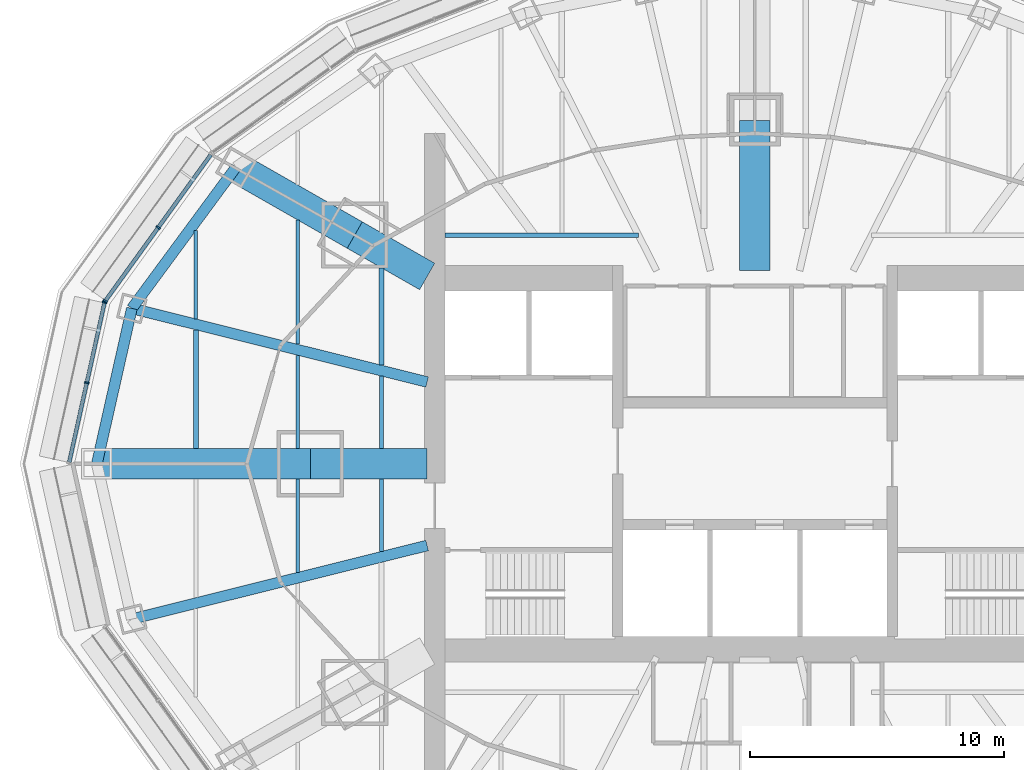
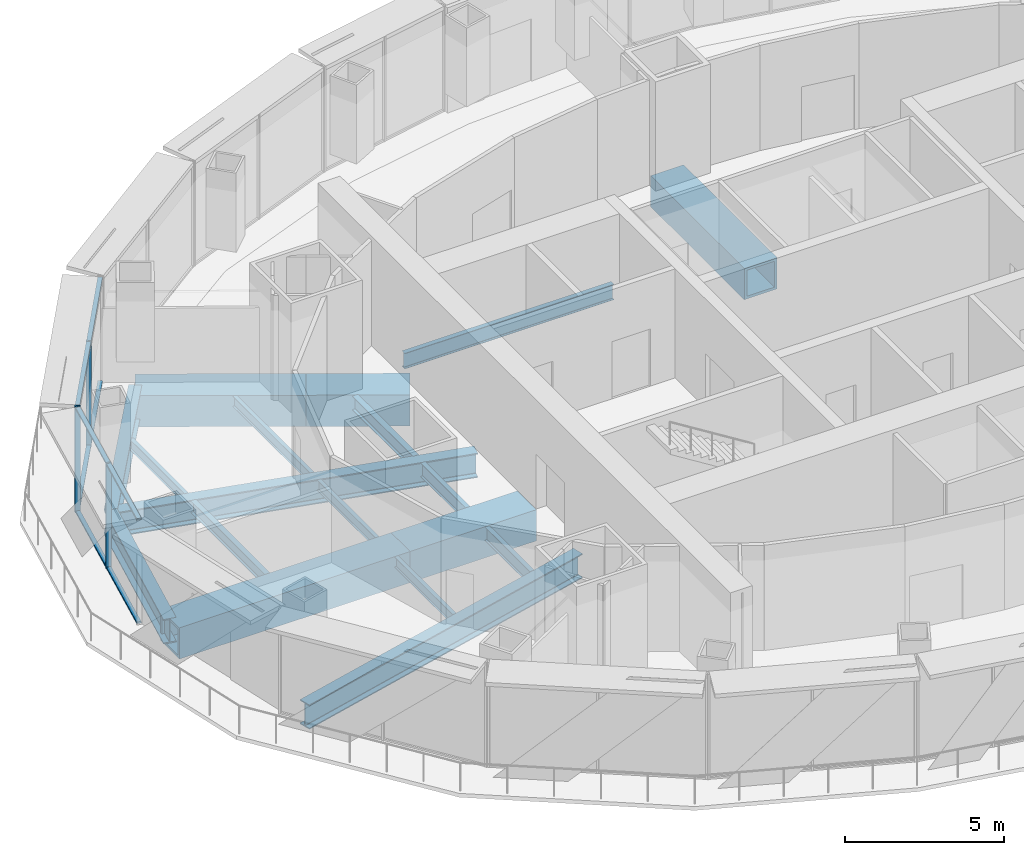
# One storey, part 4 of 17: 18 beams, 12 members, 2 elements without a shape of their own.
"""IFC4 building model written with IfcOpenShell, lengths in metres."""

from ifc_helpers import new_model, si_unit, direction, frame, origin, origin_2d, place, context, subcontext, project, spatial, rectangle, hollow_rectangle, i_section, extrude, material, material_profile, profile_set, type_object, element, aggregate, save


model = new_model("IFC4")

# Units and contexts
model_context = context("Model", 3, precision=1e-05, world=origin(), true_north=direction((0.0, 1.0)))
body_context = subcontext(model_context, "Body", "Model", "MODEL_VIEW")
ifc_project = project(units=[si_unit("LENGTHUNIT", "METRE"), si_unit("AREAUNIT", "SQUARE_METRE"), si_unit("VOLUMEUNIT", "CUBIC_METRE"), si_unit("PLANEANGLEUNIT", "RADIAN"), si_unit("MASSUNIT", "GRAM", prefix="KILO")], contexts=[model_context])

# Site, building, storey
site_placement = place(None, origin())
site = spatial("IfcSite", under=ifc_project, at=site_placement, CompositionType="ELEMENT")
building_placement = place(site_placement, origin())
building = spatial("IfcBuilding", under=site, at=building_placement, Name="Lantaw Convention Tower", CompositionType="ELEMENT")
storey_placement = place(building_placement, frame((0.0, 0.0, 199.0)))
storey = spatial("IfcBuildingStorey", under=building, at=storey_placement, Name="L46", CompositionType="ELEMENT", Elevation=199.0)

# Beams
ifc_material_1 = material(Name="Steel ASTM A992", Category="steel")
ifc_material_profile_1 = material_profile(ifc_material_1, i_section(OverallWidth=0.424072265625, OverallDepth=0.947509765625, WebThickness=0.02392578125, FlangeThickness=0.042724609375, FilletRadius=0.012451171875, at=origin_2d()), Name="W36X302")
ifc_profile_set_1 = profile_set([ifc_material_profile_1], Name="Steel ASTM A992")
beam_type_1 = type_object("IfcBeamType", Name="Beam BC W36X302", PredefinedType="SPANDREL", material=ifc_profile_set_1)
beam_1_placement = place(storey_placement, frame((-20.423095703125, 11.67041015625, -0.623779296875), z_axis=(-0.593639188853, -0.804731329984, 0.0), x_axis=(0.804731329984, -0.593639188853, 0.0)))
element("IfcBeam", 1, at=beam_1_placement, inside=storey, type_object=beam_type_1, Name="Belt truss chord 11", PredefinedType="SPANDREL", context=body_context, shape_type="SweptSolid", body=[
    extrude(i_section(OverallWidth=0.424072265625, OverallDepth=0.947509765625, WebThickness=0.02392578125, FlangeThickness=0.042724609375, FilletRadius=0.012451171875, at=origin_2d()), origin(), (0.0, 0.0, 1.0), 6.904541015625),
])
beam_2_placement = place(storey_placement, frame((-24.52197265625, 6.114013671875, -0.623779296875), z_axis=(-0.219857926596, -0.97553190215, 0.0), x_axis=(0.97553190215, -0.219857926596, 0.0)))
element("IfcBeam", 2, at=beam_2_placement, inside=storey, type_object=beam_type_1, Name="Belt truss chord 12", PredefinedType="SPANDREL", context=body_context, shape_type="SweptSolid", body=[
    extrude(i_section(OverallWidth=0.424072265625, OverallDepth=0.947509765625, WebThickness=0.02392578125, FlangeThickness=0.042724609375, FilletRadius=0.012451171875, at=origin_2d()), origin(), (0.0, 0.0, 1.0), 6.267333984375),
])
ifc_material_profile_2 = material_profile(ifc_material_1, i_section(OverallWidth=0.177978515625, OverallDepth=0.599365234375, WebThickness=0.010009765625, FlangeThickness=0.012939453125, FilletRadius=0.012939453125, at=origin_2d()), Name="W24X55")
ifc_profile_set_2 = profile_set([ifc_material_profile_2], Name="Steel ASTM A992")
beam_type_2 = type_object("IfcBeamType", Name="Beam CC W24X55", PredefinedType="BEAM", material=ifc_profile_set_2)
beam_3_placement = place(storey_placement, frame((-12.199951171875, 9.0, -0.44970703125), z_axis=(1.0, 0.0, 0.0), x_axis=(0.0, 1.0, 0.0)))
element("IfcBeam", 3, at=beam_3_placement, inside=storey, type_object=beam_type_2, Name="Core collector beam on ray 10", PredefinedType="BEAM", context=body_context, shape_type="SweptSolid", body=[
    extrude(i_section(OverallWidth=0.177978515625, OverallDepth=0.599365234375, WebThickness=0.010009765625, FlangeThickness=0.012939453125, FilletRadius=0.012939453125, at=origin_2d()), origin(), (0.0, 0.0, 1.0), 7.6142578125),
])
ifc_material_2 = material(Name="Steel EN 10025-3 S460N", Category="steel")
ifc_material_profile_3 = material_profile(ifc_material_2, hollow_rectangle(XDim=1.199951171875, YDim=1.199951171875, WallThickness=0.10009765625, at=origin_2d()), Name="BOX1200X100")
ifc_profile_set_3 = profile_set([ifc_material_profile_3], Name="Steel EN 10025-3 S460N")
beam_type_3 = type_object("IfcBeamType", Name="Beam G BOX1200X100", PredefinedType="BEAM", material=ifc_profile_set_3)
beam_4_placement = place(storey_placement, frame((-15.75, 9.0, -0.75), z_axis=(-0.868237559289, 0.496148708192, 0.0), x_axis=(-0.496148708192, -0.868237559289, 0.0)))
element("IfcBeam", 4, at=beam_4_placement, inside=storey, type_object=beam_type_3, Name="Floor girder on ray 11", PredefinedType="BEAM", context=body_context, shape_type="SweptSolid", body=[
    extrude(hollow_rectangle(XDim=1.199951171875, YDim=1.199951171875, WallThickness=0.10009765625, at=origin_2d()), origin(), (0.0, 0.0, 1.0), 5.38232421875),
])
beam_5_placement = place(storey_placement, frame((-17.5, 0.0, -0.75), z_axis=(-1.0, 0.0, 0.0), x_axis=(0.0, -1.0, 0.0)))
element("IfcBeam", 5, at=beam_5_placement, inside=storey, type_object=beam_type_3, Name="Floor girder on ray 13", PredefinedType="BEAM", context=body_context, shape_type="SweptSolid", body=[
    extrude(hollow_rectangle(XDim=1.199951171875, YDim=1.199951171875, WallThickness=0.10009765625, at=origin_2d()), origin(), (0.0, 0.0, 1.0), 8.39990234375),
])
ifc_material_profile_4 = material_profile(ifc_material_1, i_section(OverallWidth=0.421630859375, OverallDepth=0.937255859375, WebThickness=0.0224609375, FlangeThickness=0.039794921875, FilletRadius=0.02001953125, at=origin_2d()), Name="W36X282")
ifc_profile_set_4 = profile_set([ifc_material_profile_4], Name="Steel ASTM A992")
beam_type_4 = type_object("IfcBeamType", Name="Beam G W36X282", PredefinedType="BEAM", material=ifc_profile_set_4)
for number, where, z_axis, x_axis, name in (
    (6, (-12.89990234375, 3.21630859375, -0.61865234375), (-0.970295775305, 0.241921698956, 0.0), (-0.241921698956, -0.970295775305, 0.0), "Floor girder on ray 12"),
    (7, (-12.89990234375, -3.21630859375, -0.61865234375), (-0.970295775305, -0.241921698956, 0.0), (0.241921698956, -0.970295775305, 0.0), "Floor girder on ray 14"),
):
    element("IfcBeam", number, at=place(storey_placement, frame(where, z_axis=z_axis, x_axis=x_axis)), inside=storey, type_object=beam_type_4, Name=name, PredefinedType="BEAM", context=body_context, shape_type="SweptSolid", body=[
        extrude(i_section(OverallWidth=0.421630859375, OverallDepth=0.937255859375, WebThickness=0.0224609375, FlangeThickness=0.039794921875, FilletRadius=0.02001953125, at=origin_2d()), origin(), (0.0, 0.0, 1.0), 11.977783203125),
    ])
ifc_material_profile_5 = material_profile(ifc_material_1, i_section(OverallWidth=0.140380859375, OverallDepth=0.40380859375, WebThickness=0.007080078125, FlangeThickness=0.01123046875, FilletRadius=0.01025390625, at=origin_2d()), Name="W16X31")
ifc_profile_set_5 = profile_set([ifc_material_profile_5], Name="Steel ASTM A992")
beam_type_5 = type_object("IfcBeamType", Name="Beam J W16X31", PredefinedType="JOIST", material=ifc_profile_set_5)
beam_6_placement = place(storey_placement, frame((-22.0, 5.702392578125, -0.35205078125), z_axis=(0.0, 1.0, 0.0), x_axis=(-1.0, 0.0, 0.0)))
element("IfcBeam", 8, at=beam_6_placement, inside=storey, type_object=beam_type_5, Name="Floor joist", PredefinedType="JOIST", context=body_context, shape_type="SweptSolid", body=[
    extrude(i_section(OverallWidth=0.140380859375, OverallDepth=0.40380859375, WebThickness=0.007080078125, FlangeThickness=0.01123046875, FilletRadius=0.01025390625, at=origin_2d()), origin(), (0.0, 0.0, 1.0), 3.47314453125),
])
for number, where, z_axis, x_axis, name in (
    (9, (-18.0, -4.270751953125, -0.35205078125), (0.0, 1.0, 0.0), (-1.0, 0.0, 0.0), "Floor joist"),
    (10, (-18.0, 0.60009765625, -0.35205078125), (0.0, 1.0, 0.0), (-1.0, 0.0, 0.0), "Floor joist"),
):
    element("IfcBeam", number, at=place(storey_placement, frame(where, z_axis=z_axis, x_axis=x_axis)), inside=storey, type_object=beam_type_5, Name=name, PredefinedType="JOIST", context=body_context, shape_type="SweptSolid", body=[
        extrude(i_section(OverallWidth=0.140380859375, OverallDepth=0.40380859375, WebThickness=0.007080078125, FlangeThickness=0.01123046875, FilletRadius=0.01025390625, at=origin_2d()), origin(), (0.0, 0.0, 1.0), 3.670654296875),
    ])
beam_7_placement = place(storey_placement, frame((-18.0, 4.705078125, -0.35205078125), z_axis=(0.0, 1.0, 0.0), x_axis=(-1.0, 0.0, 0.0)))
element("IfcBeam", 11, at=beam_7_placement, inside=storey, type_object=beam_type_5, Name="Floor joist", PredefinedType="JOIST", context=body_context, shape_type="SweptSolid", body=[
    extrude(i_section(OverallWidth=0.140380859375, OverallDepth=0.40380859375, WebThickness=0.007080078125, FlangeThickness=0.01123046875, FilletRadius=0.01025390625, at=origin_2d()), origin(), (0.0, 0.0, 1.0), 4.8896484375),
])
ifc_material_profile_6 = material_profile(ifc_material_1, i_section(OverallWidth=0.1904296875, OverallDepth=0.457275390625, WebThickness=0.009033203125, FlangeThickness=0.014404296875, FilletRadius=0.01025390625, at=origin_2d()), Name="W18X50")
ifc_profile_set_6 = profile_set([ifc_material_profile_6], Name="Steel ASTM A992")
beam_type_6 = type_object("IfcBeamType", Name="Beam J W18X50", PredefinedType="JOIST", material=ifc_profile_set_6)
beam_8_placement = place(storey_placement, frame((-22.0, 0.60009765625, -0.378662109375), z_axis=(0.0, 1.0, 0.0), x_axis=(-1.0, 0.0, 0.0)))
element("IfcBeam", 12, at=beam_8_placement, inside=storey, type_object=beam_type_6, Name="Floor joist", PredefinedType="JOIST", context=body_context, shape_type="SweptSolid", body=[
    extrude(i_section(OverallWidth=0.1904296875, OverallDepth=0.457275390625, WebThickness=0.009033203125, FlangeThickness=0.014404296875, FilletRadius=0.01025390625, at=origin_2d()), origin(), (0.0, 0.0, 1.0), 4.667724609375),
])
ifc_material_profile_7 = material_profile(ifc_material_1, i_section(OverallWidth=0.1650390625, OverallDepth=0.52587890625, WebThickness=0.0087890625, FlangeThickness=0.011474609375, FilletRadius=0.0126953125, at=origin_2d()), Name="W21X44")
ifc_profile_set_7 = profile_set([ifc_material_profile_7], Name="Steel ASTM A992")
beam_type_7 = type_object("IfcBeamType", Name="Beam J W21X44", PredefinedType="JOIST", material=ifc_profile_set_7)
for number, where, z_axis, x_axis, name in (
    (13, (-14.699951171875, -3.44775390625, -0.412841796875), (0.0, 1.0, 0.0), (-1.0, 0.0, 0.0), "Floor joist"),
    (14, (-14.699951171875, 0.60009765625, -0.412841796875), (0.0, 1.0, 0.0), (-1.0, 0.0, 0.0), "Floor joist"),
):
    element("IfcBeam", number, at=place(storey_placement, frame(where, z_axis=z_axis, x_axis=x_axis)), inside=storey, type_object=beam_type_7, Name=name, PredefinedType="JOIST", context=body_context, shape_type="SweptSolid", body=[
        extrude(i_section(OverallWidth=0.1650390625, OverallDepth=0.52587890625, WebThickness=0.0087890625, FlangeThickness=0.011474609375, FilletRadius=0.0126953125, at=origin_2d()), origin(), (0.0, 0.0, 1.0), 2.84765625),
    ])
ifc_material_profile_8 = material_profile(ifc_material_1, i_section(OverallWidth=0.2099609375, OverallDepth=0.535888671875, WebThickness=0.010986328125, FlangeThickness=0.017333984375, FilletRadius=0.012939453125, at=origin_2d()), Name="W21X68")
ifc_profile_set_8 = profile_set([ifc_material_profile_8], Name="Steel ASTM A992")
beam_type_8 = type_object("IfcBeamType", Name="Beam J W21X68", PredefinedType="JOIST", material=ifc_profile_set_8)
beam_9_placement = place(storey_placement, frame((-14.699951171875, 3.88232421875, -0.41796875), z_axis=(0.0, 1.0, 0.0), x_axis=(-1.0, 0.0, 0.0)))
element("IfcBeam", 15, at=beam_9_placement, inside=storey, type_object=beam_type_8, Name="Floor joist", PredefinedType="JOIST", context=body_context, shape_type="SweptSolid", body=[
    extrude(i_section(OverallWidth=0.2099609375, OverallDepth=0.535888671875, WebThickness=0.010986328125, FlangeThickness=0.017333984375, FilletRadius=0.012939453125, at=origin_2d()), origin(), (0.0, 0.0, 1.0), 3.82666015625),
])
ifc_material_profile_9 = material_profile(ifc_material_2, hollow_rectangle(XDim=1.199951171875, YDim=1.199951171875, WallThickness=0.10009765625, at=origin_2d()), Name="BOX1200X100")
ifc_profile_set_9 = profile_set([ifc_material_profile_9], Name="Steel EN 10025-3 S460N")
beam_type_9 = type_object("IfcBeamType", Name="Beam OC BOX1200X100", PredefinedType="BEAM", material=ifc_profile_set_9)
beam_10_placement = place(storey_placement, frame((0.0, 7.60009765625, -0.75), z_axis=(0.0, 1.0, 0.0), x_axis=(-1.0, 0.0, 0.0)))
element("IfcBeam", 16, at=beam_10_placement, inside=storey, type_object=beam_type_9, Name="Outrigger chord on ray 7", PredefinedType="BEAM", context=body_context, shape_type="SweptSolid", body=[
    extrude(hollow_rectangle(XDim=1.199951171875, YDim=1.199951171875, WallThickness=0.10009765625, at=origin_2d()), origin(), (0.0, 0.0, 1.0), 5.89990234375),
])
beam_11_placement = place(storey_placement, frame((-12.89990234375, 7.371337890625, -0.75), z_axis=(-0.868238565244, 0.496146947811, 0.0), x_axis=(-0.496146947811, -0.868238565244, 0.0)))
element("IfcBeam", 17, at=beam_11_placement, inside=storey, type_object=beam_type_9, Name="Outrigger chord on ray 11", PredefinedType="BEAM", context=body_context, shape_type="SweptSolid", body=[
    extrude(hollow_rectangle(XDim=1.199951171875, YDim=1.199951171875, WallThickness=0.10009765625, at=origin_2d()), origin(), (0.0, 0.0, 1.0), 3.28271484375),
])
beam_12_placement = place(storey_placement, frame((-12.89990234375, 0.0, -0.75), z_axis=(-1.0, 0.0, 0.0), x_axis=(0.0, -1.0, 0.0)))
element("IfcBeam", 18, at=beam_12_placement, inside=storey, type_object=beam_type_9, Name="Outrigger chord on ray 13", PredefinedType="BEAM", context=body_context, shape_type="SweptSolid", body=[
    extrude(hollow_rectangle(XDim=1.199951171875, YDim=1.199951171875, WallThickness=0.10009765625, at=origin_2d()), origin(), (0.0, 0.0, 1.0), 4.60009765625),
])

# Curtain wall, members
ifc_material_3 = material(Name="Aluminium framed curtain wall", Category="aluminium")
curtain_wall_type = type_object("IfcCurtainWallType", Name="Office curtain wall high rise, pale aluminium", PredefinedType="USERDEFINED", material=ifc_material_3)
curtain_wall_1_placement = place(storey_placement, origin())
curtain_wall_1 = element("IfcCurtainWall", 19, at=curtain_wall_1_placement, inside=storey, type_object=curtain_wall_type, Name="Office curtain wall high rise, pale aluminium L46", ObjectType="UNITISED CURTAIN WALL", PredefinedType="USERDEFINED")
ifc_material_4 = material(Name="Aluminium 6063-T6", Category="aluminium")
ifc_material_profile_10 = material_profile(ifc_material_4, rectangle(XDim=0.179931640625, YDim=0.06494140625, at=origin_2d()), Name="CW-O2 mullion 65x180")
ifc_profile_set_10 = profile_set([ifc_material_profile_10], Name="Aluminium 6063-T6")
member_type_1 = type_object("IfcMemberType", Name="CW-O2 mullion 65x180", PredefinedType="MULLION", material=ifc_profile_set_10)
member_1_placement = place(storey_placement, frame((-23.483642578125, 9.298095703125, 0.0), z_axis=(0.0, 0.0, 1.0), x_axis=(0.810919559405, -0.585157643865, 0.0)))
member_1 = element("IfcMember", 20, at=member_1_placement, type_object=member_type_1, Name="CW-O2 mullion 2", PredefinedType="MULLION", context=body_context, shape_type="SweptSolid", body=[
    extrude(rectangle(XDim=0.179931640625, YDim=0.06494140625, at=origin_2d()), origin(), (0.0, 0.0, 1.0), 4.050048828125),
])
member_2_placement = place(storey_placement, frame((-25.5703125, 6.406494140625, 0.0), z_axis=(0.0, 0.0, 1.0), x_axis=(0.810919559405, -0.585157643865, 0.0)))
member_2 = element("IfcMember", 21, at=member_2_placement, type_object=member_type_1, Name="CW-O2 mullion 3", PredefinedType="MULLION", context=body_context, shape_type="SweptSolid", body=[
    extrude(rectangle(XDim=0.179931640625, YDim=0.06494140625, at=origin_2d()), origin(), (0.0, 0.0, 1.0), 4.050048828125),
])

curtain_wall_2_placement = place(storey_placement, origin())
curtain_wall_2 = element("IfcCurtainWall", 22, at=curtain_wall_2_placement, inside=storey, type_object=curtain_wall_type, Name="Office curtain wall high rise, pale aluminium L46", ObjectType="UNITISED CURTAIN WALL", PredefinedType="USERDEFINED")
member_3_placement = place(storey_placement, frame((-25.596435546875, 6.348388671875, 0.0), z_axis=(0.0, 0.0, 1.0), x_axis=(0.976417396437, -0.215891333626, 0.0)))
member_3 = element("IfcMember", 23, at=member_3_placement, type_object=member_type_1, Name="CW-O2 mullion 1", PredefinedType="MULLION", context=body_context, shape_type="SweptSolid", body=[
    extrude(rectangle(XDim=0.179931640625, YDim=0.06494140625, at=origin_2d()), origin(), (0.0, 0.0, 1.0), 4.050048828125),
])
member_4_placement = place(storey_placement, frame((-26.294677734375, 3.190185546875, 0.0), z_axis=(0.0, 0.0, 1.0), x_axis=(0.976417396437, -0.215891333626, 0.0)))
member_4 = element("IfcMember", 24, at=member_4_placement, type_object=member_type_1, Name="CW-O2 mullion 2", PredefinedType="MULLION", context=body_context, shape_type="SweptSolid", body=[
    extrude(rectangle(XDim=0.179931640625, YDim=0.06494140625, at=origin_2d()), origin(), (0.0, 0.0, 1.0), 4.050048828125),
])

# Member
ifc_material_profile_11 = material_profile(ifc_material_4, rectangle(XDim=0.14990234375, YDim=0.06494140625, at=origin_2d()), Name="CW-O2 transom 65x150")
ifc_profile_set_11 = profile_set([ifc_material_profile_11], Name="Aluminium 6063-T6")
member_type_2 = type_object("IfcMemberType", Name="CW-O2 transom 65x150", PredefinedType="USERDEFINED", material=ifc_profile_set_11)
member_5_placement = place(storey_placement, frame((-21.416259765625, 12.163330078125, 0.032470703125), z_axis=(-0.585123825205, -0.810943961798, 0.0), x_axis=(0.810943961798, -0.585123825205, 0.0)))
member_5 = element("IfcMember", 25, at=member_5_placement, type_object=member_type_2, Name="CW-O2 transom 1.1", ObjectType="TRANSOM", PredefinedType="USERDEFINED", context=body_context, shape_type="SweptSolid", body=[
    extrude(rectangle(XDim=0.14990234375, YDim=0.06494140625, at=origin_2d()), origin(), (0.0, 0.0, 1.0), 3.500732421875),
])

member_6_placement = place(storey_placement, frame((-21.416259765625, 12.163330078125, 4.017578125), z_axis=(-0.585123825205, -0.810943961798, 0.0), x_axis=(0.810943961798, -0.585123825205, 0.0)))
member_6 = element("IfcMember", 26, at=member_6_placement, type_object=member_type_2, Name="CW-O2 transom 1.2", ObjectType="TRANSOM", PredefinedType="USERDEFINED", context=body_context, shape_type="SweptSolid", body=[
    extrude(rectangle(XDim=0.14990234375, YDim=0.06494140625, at=origin_2d()), origin(), (0.0, 0.0, 1.0), 3.500732421875),
])

member_7_placement = place(storey_placement, frame((-23.502685546875, 9.271728515625, 0.032470703125), z_axis=(-0.585169685931, -0.810910869743, 0.0), x_axis=(0.810910869743, -0.585169685931, 0.0)))
member_7 = element("IfcMember", 27, at=member_7_placement, type_object=member_type_2, Name="CW-O2 transom 2.1", ObjectType="TRANSOM", PredefinedType="USERDEFINED", context=body_context, shape_type="SweptSolid", body=[
    extrude(rectangle(XDim=0.14990234375, YDim=0.06494140625, at=origin_2d()), origin(), (0.0, 0.0, 1.0), 3.500732421875),
])

member_8_placement = place(storey_placement, frame((-23.502685546875, 9.271728515625, 4.017578125), z_axis=(-0.585169685931, -0.810910869743, 0.0), x_axis=(0.810910869743, -0.585169685931, 0.0)))
member_8 = element("IfcMember", 28, at=member_8_placement, type_object=member_type_2, Name="CW-O2 transom 2.2", ObjectType="TRANSOM", PredefinedType="USERDEFINED", context=body_context, shape_type="SweptSolid", body=[
    extrude(rectangle(XDim=0.14990234375, YDim=0.06494140625, at=origin_2d()), origin(), (0.0, 0.0, 1.0), 3.500732421875),
])

aggregate(curtain_wall_1, [member_1, member_2, member_5, member_6, member_7, member_8])

member_9_placement = place(storey_placement, frame((-25.603271484375, 6.316650390625, 0.032470703125), z_axis=(-0.215894607042, -0.976416672661, 0.0), x_axis=(0.976416672661, -0.215894607042, 0.0)))
member_9 = element("IfcMember", 29, at=member_9_placement, type_object=member_type_2, Name="CW-O2 transom 1.1", ObjectType="TRANSOM", PredefinedType="USERDEFINED", context=body_context, shape_type="SweptSolid", body=[
    extrude(rectangle(XDim=0.14990234375, YDim=0.06494140625, at=origin_2d()), origin(), (0.0, 0.0, 1.0), 3.169677734375),
])

member_10_placement = place(storey_placement, frame((-25.603271484375, 6.316650390625, 4.017578125), z_axis=(-0.215894607042, -0.976416672661, 0.0), x_axis=(0.976416672661, -0.215894607042, 0.0)))
member_10 = element("IfcMember", 30, at=member_10_placement, type_object=member_type_2, Name="CW-O2 transom 1.2", ObjectType="TRANSOM", PredefinedType="USERDEFINED", context=body_context, shape_type="SweptSolid", body=[
    extrude(rectangle(XDim=0.14990234375, YDim=0.06494140625, at=origin_2d()), origin(), (0.0, 0.0, 1.0), 3.169677734375),
])

member_11_placement = place(storey_placement, frame((-26.3017578125, 3.158447265625, 0.032470703125), z_axis=(-0.215894607042, -0.976416672661, 0.0), x_axis=(0.976416672661, -0.215894607042, 0.0)))
member_11 = element("IfcMember", 31, at=member_11_placement, type_object=member_type_2, Name="CW-O2 transom 2.1", ObjectType="TRANSOM", PredefinedType="USERDEFINED", context=body_context, shape_type="SweptSolid", body=[
    extrude(rectangle(XDim=0.14990234375, YDim=0.06494140625, at=origin_2d()), origin(), (0.0, 0.0, 1.0), 3.169677734375),
])

member_12_placement = place(storey_placement, frame((-26.3017578125, 3.158447265625, 4.017578125), z_axis=(-0.215894607042, -0.976416672661, 0.0), x_axis=(0.976416672661, -0.215894607042, 0.0)))
member_12 = element("IfcMember", 32, at=member_12_placement, type_object=member_type_2, Name="CW-O2 transom 2.2", ObjectType="TRANSOM", PredefinedType="USERDEFINED", context=body_context, shape_type="SweptSolid", body=[
    extrude(rectangle(XDim=0.14990234375, YDim=0.06494140625, at=origin_2d()), origin(), (0.0, 0.0, 1.0), 3.169677734375),
])

aggregate(curtain_wall_2, [member_3, member_4, member_9, member_10, member_11, member_12])

save(model, "model.ifc")
